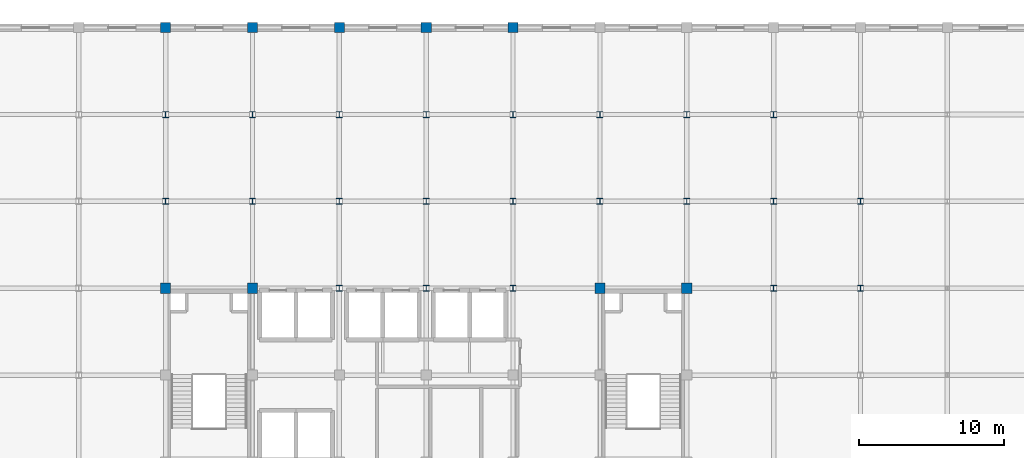
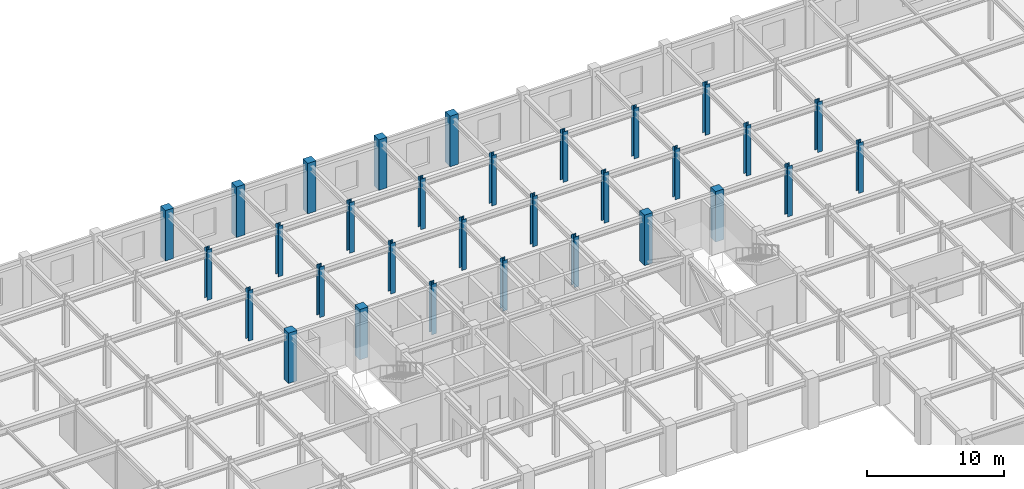
# One storey, part 16 of 108: 31 columns.
"""IFC4 building model written with IfcOpenShell, lengths in metres."""

from ifc_helpers import new_model, si_unit, direction, frame, origin, origin_2d, place, context, subcontext, project, spatial, rectangle, i_section, extrude, material, material_profile, profile_set, type_object, element, save


model = new_model("IFC4")

# Units and contexts
model_context = context("Model", 3, precision=1e-05, world=origin(), true_north=direction((0.0, 1.0)))
body_context = subcontext(model_context, "Body", "Model", "MODEL_VIEW")
ifc_project = project(units=[si_unit("LENGTHUNIT", "METRE"), si_unit("AREAUNIT", "SQUARE_METRE"), si_unit("VOLUMEUNIT", "CUBIC_METRE"), si_unit("PLANEANGLEUNIT", "RADIAN"), si_unit("MASSUNIT", "GRAM", prefix="KILO")], contexts=[model_context])

# Site, building, storey
site_placement = place(None, origin())
site = spatial("IfcSite", under=ifc_project, at=site_placement, CompositionType="ELEMENT")
building_placement = place(site_placement, origin())
building = spatial("IfcBuilding", under=site, at=building_placement, Name="Zlatovratsky Civic Hall", CompositionType="ELEMENT")
storey_placement = place(building_placement, frame((0.0, 0.0, 12.0)))
storey = spatial("IfcBuildingStorey", under=building, at=storey_placement, Name="L03", CompositionType="ELEMENT", Elevation=12.0)

# Columns
ifc_material_1 = material(Name="Concrete C35/45 (B40)", Category="concrete")
ifc_material_profile_1 = material_profile(ifc_material_1, rectangle(XDim=0.699951171875, YDim=0.699951171875, at=origin_2d()), Name="RC 700x700")
ifc_profile_set_1 = profile_set([ifc_material_profile_1], Name="Concrete C35/45 (B40)")
column_type_1 = type_object("IfcColumnType", Name="Col_CorePier_RC700", PredefinedType="COLUMN", material=ifc_profile_set_1)
for number, where, z_axis, x_axis, name in (
    (1, (66.0, 96.0, 0.0), (0.0, 0.0, 1.0), (1.0, 0.0, 0.0), "CL-1467"),
    (2, (72.0, 96.0, 0.0), (0.0, 0.0, 1.0), (1.0, 0.0, 0.0), "CL-1468"),
    (3, (96.0, 96.0, 0.0), (0.0, 0.0, 1.0), (1.0, 0.0, 0.0), "CL-1472"),
    (4, (102.0, 96.0, 0.0), (0.0, 0.0, 1.0), (1.0, 0.0, 0.0), "CL-1473"),
    (5, (66.0, 114.0, 0.0), (0.0, 0.0, 1.0), (1.0, 0.0, 0.0), "CL-1536"),
    (6, (72.0, 114.0, 0.0), (0.0, 0.0, 1.0), (1.0, 0.0, 0.0), "CL-1537"),
    (7, (78.0, 114.0, 0.0), (0.0, 0.0, 1.0), (1.0, 0.0, 0.0), "CL-1538"),
    (8, (84.0, 114.0, 0.0), (0.0, 0.0, 1.0), (1.0, 0.0, 0.0), "CL-1539"),
    (9, (90.0, 114.0, 0.0), (0.0, 0.0, 1.0), (1.0, 0.0, 0.0), "CL-1540"),
):
    element("IfcColumn", number, at=place(storey_placement, frame(where, z_axis=z_axis, x_axis=x_axis)), inside=storey, type_object=column_type_1, Name=name, PredefinedType="COLUMN", context=body_context, shape_type="SweptSolid", body=[
        extrude(rectangle(XDim=0.699951171875, YDim=0.699951171875, at=origin_2d()), origin(), (0.0, 0.0, 1.0), 4.5),
    ])
ifc_material_2 = material(Name="Steel S355", Category="steel")
ifc_material_profile_2 = material_profile(ifc_material_2, i_section(OverallWidth=0.405029296875, OverallDepth=0.41796875, WebThickness=0.02001953125, FlangeThickness=0.030029296875, FilletRadius=0.02197265625, at=origin_2d()), Name="40K4")
ifc_profile_set_2 = profile_set([ifc_material_profile_2], Name="Steel S355")
column_type_2 = type_object("IfcColumnType", Name="Col_Steel_40K4", PredefinedType="COLUMN", material=ifc_profile_set_2)
for number, where, z_axis, x_axis, name in (
    (10, (78.0, 96.0, 0.0), (0.0, 0.0, 1.0), (1.0, 0.0, 0.0), "CL-1469"),
    (11, (84.0, 96.0, 0.0), (0.0, 0.0, 1.0), (1.0, 0.0, 0.0), "CL-1470"),
    (12, (90.0, 96.0, 0.0), (0.0, 0.0, 1.0), (1.0, 0.0, 0.0), "CL-1471"),
    (13, (108.0, 96.0, 0.0), (0.0, 0.0, 1.0), (1.0, 0.0, 0.0), "CL-1474"),
    (14, (114.0, 96.0, 0.0), (0.0, 0.0, 1.0), (1.0, 0.0, 0.0), "CL-1475"),
    (15, (66.0, 102.0, 0.0), (0.0, 0.0, 1.0), (1.0, 0.0, 0.0), "CL-1490"),
    (16, (72.0, 102.0, 0.0), (0.0, 0.0, 1.0), (1.0, 0.0, 0.0), "CL-1491"),
    (17, (78.0, 102.0, 0.0), (0.0, 0.0, 1.0), (1.0, 0.0, 0.0), "CL-1492"),
    (18, (84.0, 102.0, 0.0), (0.0, 0.0, 1.0), (1.0, 0.0, 0.0), "CL-1493"),
    (19, (90.0, 102.0, 0.0), (0.0, 0.0, 1.0), (1.0, 0.0, 0.0), "CL-1494"),
    (20, (96.0, 102.0, 0.0), (0.0, 0.0, 1.0), (1.0, 0.0, 0.0), "CL-1495"),
    (21, (102.0, 102.0, 0.0), (0.0, 0.0, 1.0), (1.0, 0.0, 0.0), "CL-1496"),
    (22, (108.0, 102.0, 0.0), (0.0, 0.0, 1.0), (1.0, 0.0, 0.0), "CL-1497"),
    (23, (114.0, 102.0, 0.0), (0.0, 0.0, 1.0), (1.0, 0.0, 0.0), "CL-1498"),
    (24, (66.0, 108.0, 0.0), (0.0, 0.0, 1.0), (1.0, 0.0, 0.0), "CL-1513"),
    (25, (72.0, 108.0, 0.0), (0.0, 0.0, 1.0), (1.0, 0.0, 0.0), "CL-1514"),
    (26, (78.0, 108.0, 0.0), (0.0, 0.0, 1.0), (1.0, 0.0, 0.0), "CL-1515"),
    (27, (84.0, 108.0, 0.0), (0.0, 0.0, 1.0), (1.0, 0.0, 0.0), "CL-1516"),
    (28, (90.0, 108.0, 0.0), (0.0, 0.0, 1.0), (1.0, 0.0, 0.0), "CL-1517"),
    (29, (96.0, 108.0, 0.0), (0.0, 0.0, 1.0), (1.0, 0.0, 0.0), "CL-1518"),
    (30, (102.0, 108.0, 0.0), (0.0, 0.0, 1.0), (1.0, 0.0, 0.0), "CL-1519"),
    (31, (108.0, 108.0, 0.0), (0.0, 0.0, 1.0), (1.0, 0.0, 0.0), "CL-1520"),
):
    element("IfcColumn", number, at=place(storey_placement, frame(where, z_axis=z_axis, x_axis=x_axis)), inside=storey, type_object=column_type_2, Name=name, PredefinedType="COLUMN", context=body_context, shape_type="SweptSolid", body=[
        extrude(i_section(OverallWidth=0.405029296875, OverallDepth=0.41796875, WebThickness=0.02001953125, FlangeThickness=0.030029296875, FilletRadius=0.02197265625, at=origin_2d()), origin(), (0.0, 0.0, 1.0), 4.5),
    ])

save(model, "model.ifc")
